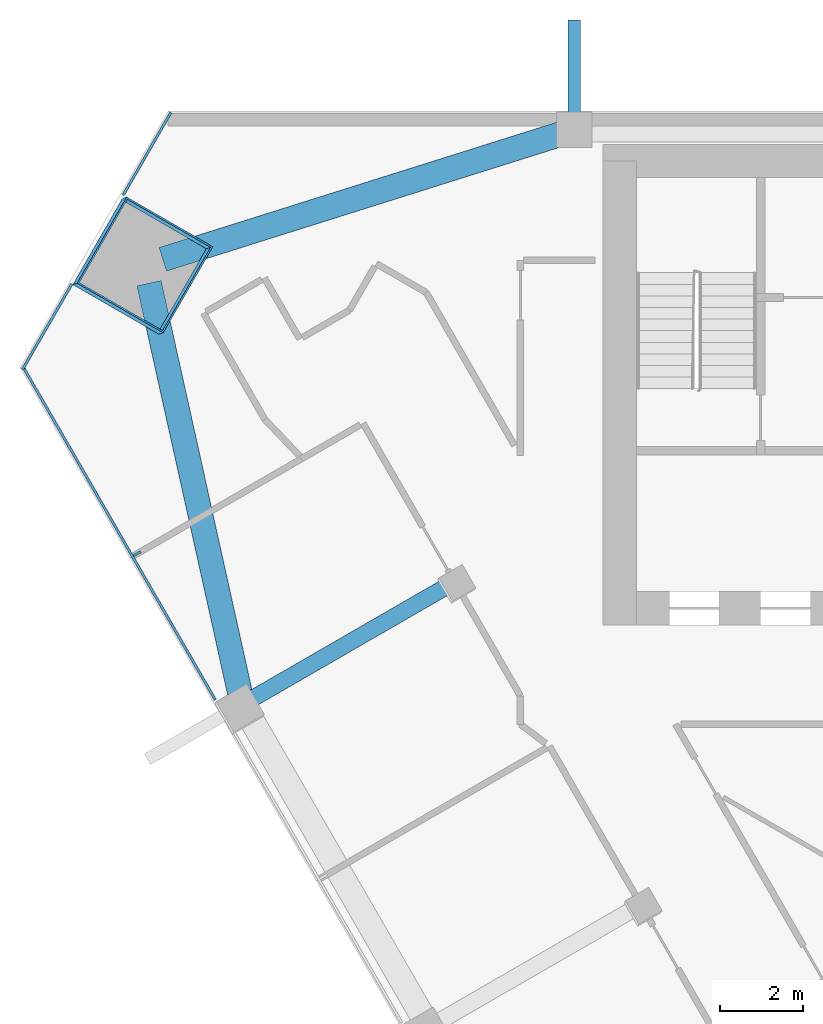
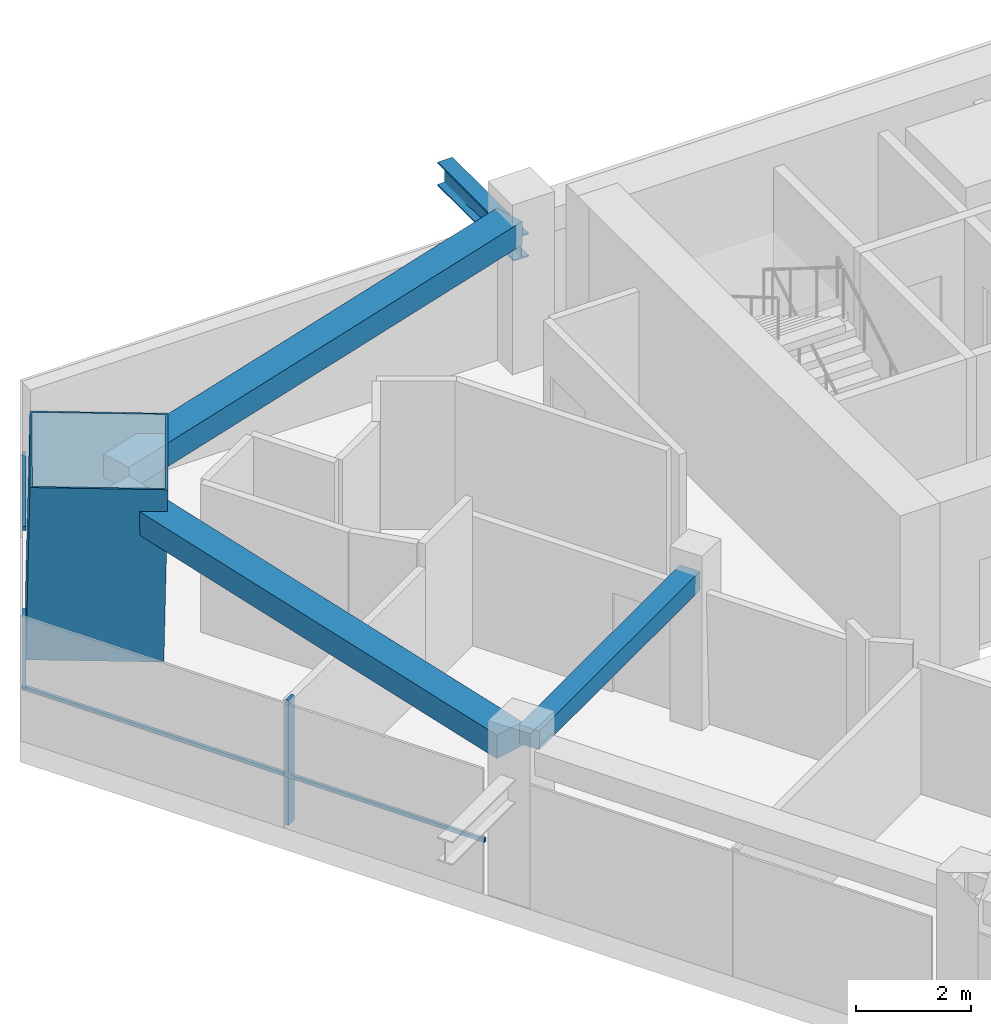
# One storey, part 5 of 13: 6 members, 3 beams, 2 elements without a shape of their own.
"""IFC4 building model written with IfcOpenShell, lengths in metres."""

from ifc_helpers import new_model, si_unit, direction, frame, origin, origin_2d, place, context, subcontext, project, spatial, rectangle, hollow_rectangle, i_section, extrude, material, layer, layer_set, material_profile, profile_set, type_object, element, aggregate, save


model = new_model("IFC4")

# Units and contexts
model_context = context("Model", 3, precision=1e-05, world=origin(), true_north=direction((0.0, 1.0)))
body_context = subcontext(model_context, "Body", "Model", "MODEL_VIEW")
ifc_project = project(units=[si_unit("LENGTHUNIT", "METRE"), si_unit("AREAUNIT", "SQUARE_METRE"), si_unit("VOLUMEUNIT", "CUBIC_METRE"), si_unit("PLANEANGLEUNIT", "RADIAN"), si_unit("MASSUNIT", "GRAM", prefix="KILO")], contexts=[model_context])

# Site, building, storey
site_placement = place(None, origin())
site = spatial("IfcSite", under=ifc_project, at=site_placement, CompositionType="ELEMENT")
building_placement = place(site_placement, origin())
building = spatial("IfcBuilding", under=site, at=building_placement, Name="Altiplano Prism Tower", CompositionType="ELEMENT")
storey_placement = place(building_placement, frame((0.0, 0.0, 160.199951171875)))
storey = spatial("IfcBuildingStorey", under=building, at=storey_placement, Name="L41", CompositionType="ELEMENT", Elevation=160.199951171875)

# Member
ifc_material_1 = material(Name="Steel S355", Category="steel")
ifc_material_profile_1 = material_profile(ifc_material_1, i_section(OverallWidth=0.300048828125, OverallDepth=0.5, WebThickness=0.014404296875, FlangeThickness=0.028076171875, FilletRadius=0.027099609375, at=origin_2d()), Name="Brace bracket HEB 500")
ifc_profile_set_1 = profile_set([ifc_material_profile_1], Name="Steel S355")
member_type_1 = type_object("IfcMemberType", Name="Brace bracket HEB 500", PredefinedType="STRUT", material=ifc_profile_set_1)
member_1_placement = place(storey_placement, frame((71.5, 104.550048828125, 2.306640625), z_axis=(0.0, 1.0, 0.0), x_axis=(-1.0, 0.0, 0.0)))
element("IfcMember", 1, at=member_1_placement, inside=storey, type_object=member_type_1, Name="Brace bracket 0.163.8", PredefinedType="STRUT", context=body_context, shape_type="SweptSolid", body=[
    extrude(i_section(OverallWidth=0.300048828125, OverallDepth=0.5, WebThickness=0.014404296875, FlangeThickness=0.028076171875, FilletRadius=0.027099609375, at=origin_2d()), origin(), (0.0, 0.0, 1.0), 2.64990234375),
])

# Curtain wall, member
ifc_material_2 = material(Name="Aluminium and glass", Category="aluminium")
ifc_layer = layer(ifc_material_2, 0.303955078125)
ifc_layer_set = layer_set([ifc_layer], Name="Aluminium and glass")
curtain_wall_type = type_object("IfcCurtainWallType", Name="CW2 lounge-band unitised glazing", PredefinedType="NOTDEFINED", material=ifc_layer_set)
curtain_wall_1_placement = place(storey_placement, origin())
curtain_wall_1 = element("IfcCurtainWall", 2, at=curtain_wall_1_placement, inside=storey, type_object=curtain_wall_type, Name="CW2 curtain wall south-west face L41", PredefinedType="NOTDEFINED")
ifc_material_3 = material(Name="Aluminium", Category="aluminium")
ifc_material_profile_2 = material_profile(ifc_material_3, rectangle(XDim=0.199951171875, YDim=0.06005859375, at=origin_2d()), Name="CW2 mullion 60 x 200")
ifc_profile_set_2 = profile_set([ifc_material_profile_2], Name="Aluminium")
member_type_2 = type_object("IfcMemberType", Name="CW2 mullion 60 x 200", PredefinedType="MULLION", material=ifc_profile_set_2)
member_2_placement = place(storey_placement, frame((60.94970703125, 94.316650390625, 0.0), z_axis=(0.0, 0.0, 1.0), x_axis=(0.866025401978, 0.500000003129, 0.0)))
member_2 = element("IfcMember", 3, at=member_2_placement, type_object=member_type_2, Name="CW2 mullion", PredefinedType="MULLION", context=body_context, shape_type="SweptSolid", body=[
    extrude(rectangle(XDim=0.199951171875, YDim=0.06005859375, at=origin_2d()), origin(), (0.0, 0.0, 1.0), 2.650146484375),
])

# Curtain wall, members
curtain_wall_2_placement = place(storey_placement, origin())
curtain_wall_2 = element("IfcCurtainWall", 4, at=curtain_wall_2_placement, inside=storey, type_object=curtain_wall_type, Name="CW2 curtain wall north-west chamfer L41", PredefinedType="NOTDEFINED")
ifc_material_profile_3 = material_profile(ifc_material_3, rectangle(XDim=0.06005859375, YDim=0.080078125, at=origin_2d()), Name="CW2 transom 80 x 60")
ifc_profile_set_3 = profile_set([ifc_material_profile_3], Name="Aluminium")
member_type_3 = type_object("IfcMemberType", Name="CW2 transom 80 x 60", PredefinedType="USERDEFINED", material=ifc_profile_set_3)
member_3_placement = place(storey_placement, frame((61.762451171875, 104.962890625, 1.10009765625), z_axis=(-0.500084485187, -0.865976620744, 0.0), x_axis=(0.865976620744, -0.500084485187, 0.0)))
member_3 = element("IfcMember", 5, at=member_3_placement, type_object=member_type_3, Name="CW2 transom", ObjectType="TRANSOM", PredefinedType="USERDEFINED", context=body_context, shape_type="SweptSolid", body=[
    extrude(rectangle(XDim=0.06005859375, YDim=0.080078125, at=origin_2d()), origin(), (0.0, 0.0, 1.0), 2.2958984375),
])
member_4_placement = place(storey_placement, frame((59.374267578125, 100.826904296875, 1.10009765625), z_axis=(-0.499962593347, -0.866046999449, 0.0), x_axis=(0.866046999449, -0.499962593347, 0.0)))
member_4 = element("IfcMember", 6, at=member_4_placement, type_object=member_type_3, Name="CW2 transom", ObjectType="TRANSOM", PredefinedType="USERDEFINED", context=body_context, shape_type="SweptSolid", body=[
    extrude(rectangle(XDim=0.06005859375, YDim=0.080078125, at=origin_2d()), origin(), (0.0, 0.0, 1.0), 2.376220703125),
])
aggregate(curtain_wall_2, [member_3, member_4])

# Member
member_5_placement = place(storey_placement, frame((58.186279296875, 98.843017578125, 1.10009765625), z_axis=(0.500011136814, -0.866018973846, 0.0), x_axis=(0.866018973846, 0.500011136814, 0.0)))
member_5 = element("IfcMember", 7, at=member_5_placement, type_object=member_type_3, Name="CW2 transom", ObjectType="TRANSOM", PredefinedType="USERDEFINED", context=body_context, shape_type="SweptSolid", body=[
    extrude(rectangle(XDim=0.06005859375, YDim=0.080078125, at=origin_2d()), origin(), (0.0, 0.0, 1.0), 9.297119140625),
])

aggregate(curtain_wall_1, [member_2, member_5])

# Beams
ifc_material_4 = material(Name="Concrete C60/75", Category="concrete")
ifc_material_profile_4 = material_profile(ifc_material_4, rectangle(XDim=0.60009765625, YDim=0.5, at=origin_2d()), Name="Edge beam 600x500")
ifc_profile_set_4 = profile_set([ifc_material_profile_4], Name="Concrete C60/75")
beam_type_1 = type_object("IfcBeamType", Name="Edge beam 600x500", PredefinedType="SPANDREL", material=ifc_profile_set_4)
beam_1_placement = place(storey_placement, frame((71.21435546875, 104.4599609375, 2.900146484375), z_axis=(-0.953809678379, -0.300411546767, 0.0), x_axis=(0.300411546767, -0.953809678379, 0.0)))
element("IfcBeam", 8, at=beam_1_placement, inside=storey, type_object=beam_type_1, Name="Edge beam P04-M0 L42", PredefinedType="SPANDREL", context=body_context, shape_type="SweptSolid", body=[
    extrude(rectangle(XDim=0.60009765625, YDim=0.5, at=origin_2d()), origin(), (0.0, 0.0, 1.0), 10.114013671875),
])
beam_2_placement = place(storey_placement, frame((61.23583984375, 100.84716796875, 2.900146484375), z_axis=(0.216738766278, -0.976229638555, 0.0), x_axis=(0.976229638555, 0.216738766278, 0.0)))
element("IfcBeam", 9, at=beam_2_placement, inside=storey, type_object=beam_type_1, Name="Edge beam M0-P11 L42", PredefinedType="SPANDREL", context=body_context, shape_type="SweptSolid", body=[
    extrude(rectangle(XDim=0.60009765625, YDim=0.5, at=origin_2d()), origin(), (0.0, 0.0, 1.0), 10.1142578125),
])

# Member
ifc_material_5 = material(Name="Steel S460", Category="steel")
ifc_material_profile_5 = material_profile(ifc_material_5, hollow_rectangle(XDim=2.39990234375, YDim=2.39990234375, WallThickness=0.0400390625, at=origin_2d()), Name="Mega column tube 2400")
ifc_profile_set_5 = profile_set([ifc_material_profile_5], Name="Steel S460")
member_type_4 = type_object("IfcMemberType", Name="Mega column tube 2400", PredefinedType="POST", material=ifc_profile_set_5)
member_6_placement = place(storey_placement, frame((61.0361328125, 101.2529296875, 0.0), z_axis=(0.028401796786, 0.009286506348, 0.999553449666), x_axis=(-0.866206321778, 0.499287135176, 0.019974102218)))
element("IfcMember", 10, at=member_6_placement, inside=storey, type_object=member_type_4, Name="Mega column tube M0 L41", PredefinedType="POST", context=body_context, shape_type="SweptSolid", body=[
    extrude(hollow_rectangle(XDim=2.39990234375, YDim=2.39990234375, WallThickness=0.0400390625, at=origin_2d()), origin(), (0.0, 0.0, 1.0), 3.601806640625),
])

# Beam
ifc_material_profile_6 = material_profile(ifc_material_4, rectangle(XDim=0.39990234375, YDim=0.39990234375, at=origin_2d()), Name="Tie beam 400x400")
ifc_profile_set_6 = profile_set([ifc_material_profile_6], Name="Concrete C60/75")
beam_type_2 = type_object("IfcBeamType", Name="Tie beam 400x400", PredefinedType="BEAM", material=ifc_profile_set_6)
beam_3_placement = place(storey_placement, frame((68.576416015625, 93.6162109375, 2.949951171875), z_axis=(-0.866011758658, -0.500023633308, 0.0), x_axis=(0.500023633308, -0.866011758658, 0.0)))
element("IfcBeam", 11, at=beam_3_placement, inside=storey, type_object=beam_type_2, Name="Tie beam I11 L42", PredefinedType="BEAM", context=body_context, shape_type="SweptSolid", body=[
    extrude(rectangle(XDim=0.39990234375, YDim=0.39990234375, at=origin_2d()), origin(), (0.0, 0.0, 1.0), 5.590087890625),
])

save(model, "model.ifc")
